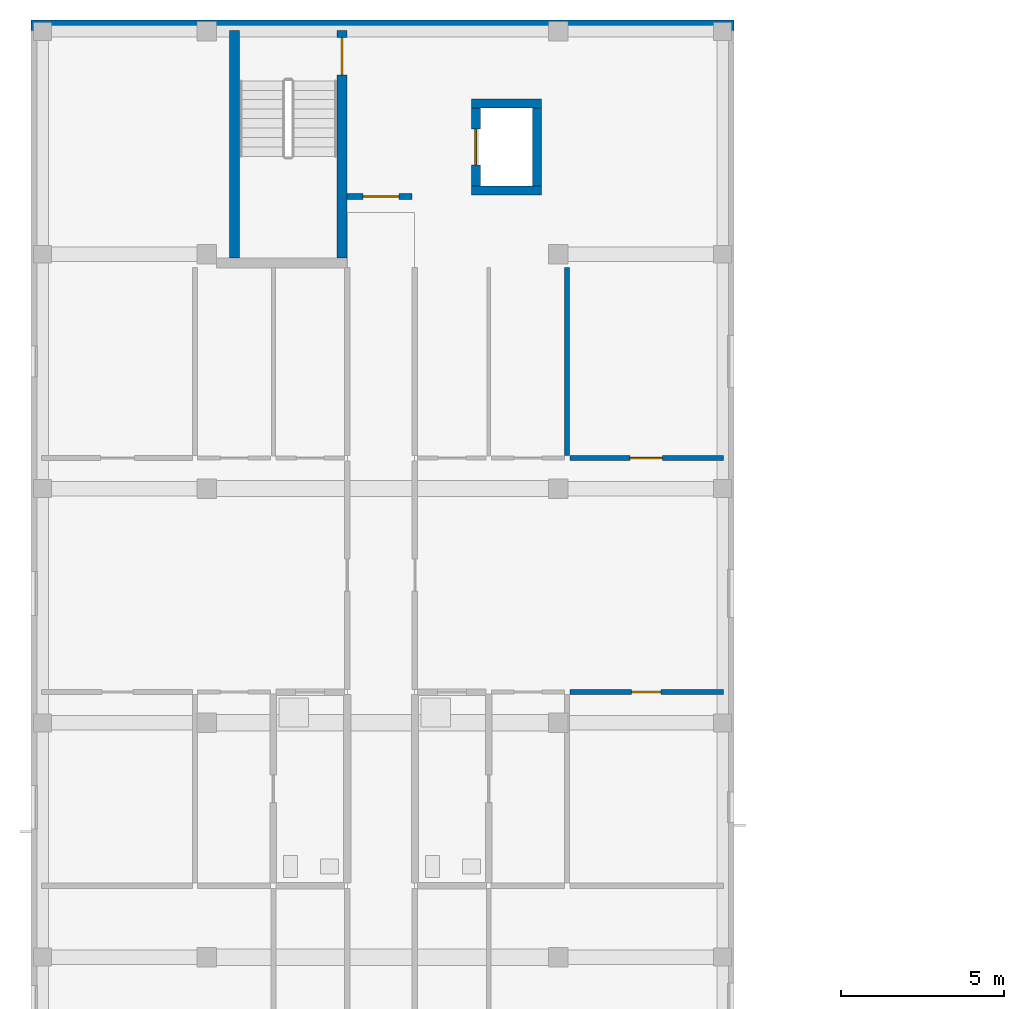
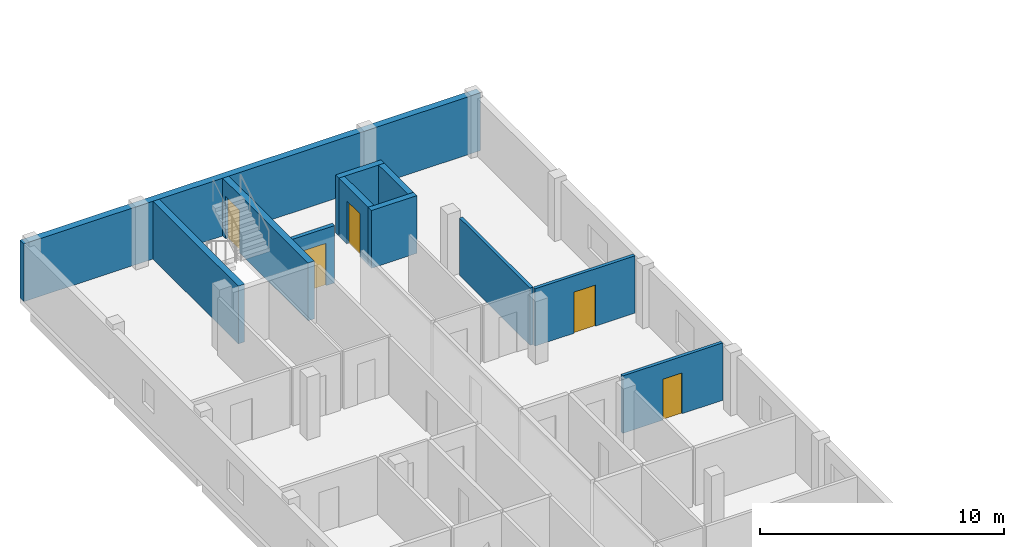
# One storey, part 16 of 34: 11 walls, 5 doors, 5 openings.
"""IFC4 building model written with IfcOpenShell, lengths in metres."""

from ifc_helpers import new_model, si_unit, derived_unit, direction, frame, frame_2d, origin, place, context, subcontext, project, spatial, rectangle, extrude, material, layer, layer_set, type_object, element, fill, save


model = new_model("IFC4")

# Units and contexts
model_context = context("Model", 3, precision=1e-05, world=origin(), true_north=direction((0.0, 1.0)))
body_context = subcontext(model_context, "Body", "Model", "MODEL_VIEW")
ifc_project = project(units=[si_unit("LENGTHUNIT", "METRE"), si_unit("AREAUNIT", "SQUARE_METRE"), si_unit("VOLUMEUNIT", "CUBIC_METRE"), si_unit("PLANEANGLEUNIT", "RADIAN"), si_unit("MASSUNIT", "GRAM", prefix="KILO"), derived_unit("THERMALTRANSMITTANCEUNIT", [(si_unit("MASSUNIT", "GRAM", prefix="KILO"), 1), (si_unit("TIMEUNIT", "SECOND"), -3), (si_unit("THERMODYNAMICTEMPERATUREUNIT", "KELVIN"), -1)])], contexts=[model_context])

# Site, building, storey
site_placement = place(None, origin())
site = spatial("IfcSite", under=ifc_project, at=site_placement, CompositionType="ELEMENT")
building_placement = place(site_placement, origin())
building = spatial("IfcBuilding", under=site, at=building_placement, Name="Ochrekiln Boulevard Commons", CompositionType="ELEMENT")
storey_placement = place(building_placement, frame((0.0, 0.0, 27.824951171875)))
storey = spatial("IfcBuildingStorey", under=building, at=storey_placement, Name="L08", CompositionType="ELEMENT", Elevation=27.824951171875)

# Wall
ifc_material_1 = material(Name="Desert ochre clinker brick masonry ASTM C216 Grade SW", Category="masonry")
ifc_layer_1 = layer(ifc_material_1, 0.320068359375)
ifc_layer_set_1 = layer_set([ifc_layer_1], Name="Desert ochre clinker brick masonry ASTM C216 Grade SW")
wall_type_1 = type_object("IfcWallType", Name="WL-EXT-OCHRE-320", PredefinedType="SOLIDWALL", material=ifc_layer_set_1)
wall_1_placement = place(storey_placement, frame((0.0, 118.639892578125, 0.0), z_axis=(0.0, 0.0, 1.0), x_axis=(1.0, 0.0, 0.0)))
element("IfcWall", 1, at=wall_1_placement, inside=storey, type_object=wall_type_1, Name="Block A L08 N Exterior Wall", PredefinedType="SOLIDWALL", context=body_context, shape_type="SweptSolid", body=[
    extrude(rectangle(XDim=21.60009765625, YDim=0.320068359375, at=frame_2d((10.800048828125, 0.0))), origin(), (0.0, 0.0, 1.0), 2.89013671875),
])

# Wall, opening, door
ifc_material_2 = material(Name="Fire-rated Type X gypsum board on steel studs", Category="steel")
ifc_layer_2 = layer(ifc_material_2, 0.18994140625)
ifc_layer_set_2 = layer_set([ifc_layer_2], Name="Fire-rated Type X gypsum board on steel studs")
wall_type_2 = type_object("IfcWallType", Name="WL-PT-LBY-190", PredefinedType="PARTITIONING", material=ifc_layer_set_2)
wall_2_placement = place(storey_placement, frame((9.699951171875, 113.3798828125, 0.0), z_axis=(0.0, 0.0, 1.0), x_axis=(1.0, 0.0, 0.0)))
wall_2 = element("IfcWall", 2, at=wall_2_placement, inside=storey, type_object=wall_type_2, Name="L08 Interior Wall W-PL190", PredefinedType="PARTITIONING", context=body_context, shape_type="SweptSolid", body=[
    extrude(rectangle(XDim=2.0, YDim=0.18994140625, at=frame_2d((1.0, 0.0))), origin(), (0.0, 0.0, 1.0), 2.8701171875),
])
opening_1_placement = place(wall_2_placement, frame((0.5, 0.0, 0.0)))
opening_1 = element("IfcOpeningElement", 3, at=opening_1_placement, cuts=wall_2, Name="Opening D-L08-1003", PredefinedType="OPENING", context=body_context, shape_type="SweptSolid", body=[
    extrude(rectangle(XDim=1.10009765625, YDim=2.1201171875, at=frame_2d((0.550048828125, 1.06005859375))), frame((0.0, 0.10498046875, 0.0), z_axis=(0.0, -1.0, 0.0), x_axis=(1.0, 0.0, 0.0)), (0.0, 0.0, 1.0), 0.2099609375),
])
ifc_material_3 = material(Name="Hollow metal fire-rated steel door assembly", Category="steel")
door_type_1 = type_object("IfcDoorType", Name="DR-LOBBY-60", OperationType="NOTDEFINED", PredefinedType="DOOR", material=ifc_material_3)
door_1_placement = place(opening_1_placement, origin())
door_1 = element("IfcDoor", 4, at=door_1_placement, inside=storey, type_object=door_type_1, Name="L08 Interior Door to Fire Service Access Elevator Lobby", OperationType="SINGLE_SWING_LEFT", OverallHeight=2.1201171875, OverallWidth=1.10009765625, PredefinedType="DOOR", context=body_context, shape_type="SweptSolid", body=[
    extrude(rectangle(XDim=1.10009765625, YDim=2.1201171875, at=frame_2d((0.550048828125, 1.06005859375))), frame((0.0, 0.02490234375, 0.0), z_axis=(0.0, -1.0, 0.0), x_axis=(1.0, 0.0, 0.0)), (0.0, 0.0, 1.0), 0.050048828125),
])
fill(opening_1, door_1)

ifc_layer_3 = layer(ifc_material_2, 0.14990234375)
ifc_layer_set_3 = layer_set([ifc_layer_3], Name="Fire-rated Type X gypsum board on steel studs")
wall_type_3 = type_object("IfcWallType", Name="WL-PT-STD-150", PredefinedType="PARTITIONING", material=ifc_layer_set_3)
wall_3_placement = place(storey_placement, frame((16.550048828125, 98.14697265625, 0.0), z_axis=(0.0, 0.0, 1.0), x_axis=(1.0, 0.0, 0.0)))
wall_3 = element("IfcWall", 5, at=wall_3_placement, inside=storey, type_object=wall_type_3, Name="L08 Interior Wall W-PS150", PredefinedType="PARTITIONING", context=body_context, shape_type="SweptSolid", body=[
    extrude(rectangle(XDim=4.72998046875, YDim=0.14990234375, at=frame_2d((2.364990234375, 0.0))), origin(), (0.0, 0.0, 1.0), 2.8701171875),
])
opening_2_placement = place(wall_3_placement, frame((1.89990234375, 0.0, 0.0)))
opening_2 = element("IfcOpeningElement", 6, at=opening_2_placement, cuts=wall_3, Name="Opening D-L08-1026", PredefinedType="OPENING", context=body_context, shape_type="SweptSolid", body=[
    extrude(rectangle(XDim=0.89990234375, YDim=2.0400390625, at=frame_2d((0.449951171875, 1.02001953125))), frame((0.0, 0.0849609375, 0.0), z_axis=(0.0, -1.0, 0.0), x_axis=(1.0, 0.0, 0.0)), (0.0, 0.0, 1.0), 0.169921875),
])
ifc_material_4 = material(Name="Solid core architectural oak door leaf")
door_type_2 = type_object("IfcDoorType", Name="DR-INT-BED-090", OperationType="NOTDEFINED", PredefinedType="DOOR", material=ifc_material_4)
door_2_placement = place(opening_2_placement, frame((0.89990234375, 0.0, 0.0), z_axis=(0.0, 0.0, 1.0), x_axis=(-1.0, 0.0, 0.0)))
door_2 = element("IfcDoor", 7, at=door_2_placement, inside=storey, type_object=door_type_2, Name="L08 Interior Door to Primary Apartment Bedroom", OperationType="SINGLE_SWING_RIGHT", OverallHeight=2.0400390625, OverallWidth=0.89990234375, PredefinedType="DOOR", context=body_context, shape_type="SweptSolid", body=[
    extrude(rectangle(XDim=0.89990234375, YDim=2.0400390625, at=frame_2d((0.449951171875, 1.02001953125))), frame((0.0, 0.02490234375, 0.0), z_axis=(0.0, -1.0, 0.0), x_axis=(1.0, 0.0, 0.0)), (0.0, 0.0, 1.0), 0.050048828125),
])
fill(opening_2, door_2)

wall_4_placement = place(storey_placement, frame((16.550048828125, 105.3349609375, 0.0), z_axis=(0.0, 0.0, 1.0), x_axis=(1.0, 0.0, 0.0)))
wall_4 = element("IfcWall", 8, at=wall_4_placement, inside=storey, type_object=wall_type_3, Name="L08 Interior Wall W-PS150", PredefinedType="PARTITIONING", context=body_context, shape_type="SweptSolid", body=[
    extrude(rectangle(XDim=4.72998046875, YDim=0.14990234375, at=frame_2d((2.364990234375, 0.0))), origin(), (0.0, 0.0, 1.0), 2.8701171875),
])
opening_3_placement = place(wall_4_placement, frame((1.85009765625, 0.0, 0.0)))
opening_3 = element("IfcOpeningElement", 9, at=opening_3_placement, cuts=wall_4, Name="Opening D-L08-1028", PredefinedType="OPENING", context=body_context, shape_type="SweptSolid", body=[
    extrude(rectangle(XDim=1.0, YDim=2.06005859375, at=frame_2d((0.5, 1.030029296875))), frame((0.0, 0.0849609375, 0.0), z_axis=(0.0, -1.0, 0.0), x_axis=(1.0, 0.0, 0.0)), (0.0, 0.0, 1.0), 0.169921875),
])
door_type_3 = type_object("IfcDoorType", Name="DR-INT-BED-100", OperationType="NOTDEFINED", PredefinedType="DOOR", material=ifc_material_4)
door_3_placement = place(opening_3_placement, origin())
door_3 = element("IfcDoor", 10, at=door_3_placement, inside=storey, type_object=door_type_3, Name="L08 Interior Door to Secondary Apartment Bedroom", OperationType="SINGLE_SWING_RIGHT", OverallHeight=2.06005859375, OverallWidth=1.0, PredefinedType="DOOR", context=body_context, shape_type="SweptSolid", body=[
    extrude(rectangle(XDim=1.0, YDim=2.06005859375, at=frame_2d((0.5, 1.030029296875))), frame((0.0, 0.02490234375, 0.0), z_axis=(0.0, -1.0, 0.0), x_axis=(1.0, 0.0, 0.0)), (0.0, 0.0, 1.0), 0.050048828125),
])
fill(opening_3, door_3)

# Walls
wall_5_placement = place(storey_placement, frame((16.469970703125, 105.409912109375, 0.0), z_axis=(0.0, 0.0, 1.0), x_axis=(0.0, 1.0, 0.0)))
element("IfcWall", 11, at=wall_5_placement, inside=storey, type_object=wall_type_3, Name="L08 Interior Wall W-PS150", PredefinedType="PARTITIONING", context=body_context, shape_type="SweptSolid", body=[
    extrude(rectangle(XDim=5.7900390625, YDim=0.14990234375, at=frame_2d((2.89501953125, 0.0))), origin(), (0.0, 0.0, 1.0), 2.8701171875),
])
ifc_material_5 = material(Name="Concrete C40/50", Category="concrete")
ifc_layer_4 = layer(ifc_material_5, 0.27490234375)
ifc_layer_set_4 = layer_set([ifc_layer_4], Name="Concrete C40/50")
wall_type_4 = type_object("IfcWallType", Name="WL-SH-275", PredefinedType="SHEAR", material=ifc_layer_set_4)
for number, where, z_axis, x_axis, name in (
    (12, (13.52490234375, 113.5625, 0.0), (0.0, 0.0, 1.0), (1.0, 0.0, 0.0), "Elevator FF-A2 L08 Hoistway Shear Wall"),
    (13, (13.52490234375, 116.237548828125, 0.0), (0.0, 0.0, 1.0), (1.0, 0.0, 0.0), "Elevator FF-A2 L08 Hoistway Shear Wall"),
):
    element("IfcWall", number, at=place(storey_placement, frame(where, z_axis=z_axis, x_axis=x_axis)), inside=storey, type_object=wall_type_4, Name=name, PredefinedType="SHEAR", context=body_context, shape_type="SweptSolid", body=[
        extrude(rectangle(XDim=2.150146484375, YDim=0.27490234375, at=frame_2d((1.0751953125, 0.0))), origin(), (0.0, 0.0, 1.0), 2.89013671875),
    ])

# Wall, opening, door
wall_6_placement = place(storey_placement, frame((13.66259765625, 113.699951171875, 0.0), z_axis=(0.0, 0.0, 1.0), x_axis=(0.0, 1.0, 0.0)))
wall_6 = element("IfcWall", 14, at=wall_6_placement, inside=storey, type_object=wall_type_4, Name="Elevator FF-A2 L08 Hoistway Shear Wall", PredefinedType="SHEAR", context=body_context, shape_type="SweptSolid", body=[
    extrude(rectangle(XDim=2.400146484375, YDim=0.27490234375, at=frame_2d((1.2001953125, 0.0))), origin(), (0.0, 0.0, 1.0), 2.89013671875),
])
opening_4_placement = place(wall_6_placement, frame((0.64990234375, 0.0, 0.0)))
opening_4 = element("IfcOpeningElement", 15, at=opening_4_placement, cuts=wall_6, Name="Opening LD-FF-A2-L08", PredefinedType="OPENING", context=body_context, shape_type="SweptSolid", body=[
    extrude(rectangle(XDim=1.10009765625, YDim=2.14990234375, at=frame_2d((0.550048828125, 1.074951171875))), frame((0.0, 0.1474609375, 0.0), z_axis=(0.0, -1.0, 0.0), x_axis=(1.0, 0.0, 0.0)), (0.0, 0.0, 1.0), 0.294921875),
])
ifc_material_6 = material(Name="Brushed stainless steel 316 elevator cab and doors", Category="steel")
door_type_4 = type_object("IfcDoorType", Name="DR-LIFT-LD90", OperationType="SLIDING_TO_LEFT", PredefinedType="DOOR", material=ifc_material_6)
door_4_placement = place(opening_4_placement, origin())
door_4 = element("IfcDoor", 16, at=door_4_placement, inside=storey, type_object=door_type_4, Name="Elevator FF-A2 L08 Sliding Landing Door LD-FF-A2-L08", OperationType="SLIDING_TO_LEFT", OverallHeight=2.14990234375, OverallWidth=1.10009765625, PredefinedType="DOOR", context=body_context, shape_type="SweptSolid", body=[
    extrude(rectangle(XDim=1.10009765625, YDim=2.14990234375, at=frame_2d((0.550048828125, 1.074951171875))), frame((0.0, 0.02490234375, 0.0), z_axis=(0.0, -1.0, 0.0), x_axis=(1.0, 0.0, 0.0)), (0.0, 0.0, 1.0), 0.050048828125),
])
fill(opening_4, door_4)

# Walls
wall_7_placement = place(storey_placement, frame((15.53759765625, 113.699951171875, 0.0), z_axis=(0.0, 0.0, 1.0), x_axis=(0.0, 1.0, 0.0)))
element("IfcWall", 17, at=wall_7_placement, inside=storey, type_object=wall_type_4, Name="Elevator FF-A2 L08 Hoistway Shear Wall", PredefinedType="SHEAR", context=body_context, shape_type="SweptSolid", body=[
    extrude(rectangle(XDim=2.400146484375, YDim=0.27490234375, at=frame_2d((1.2001953125, 0.0))), origin(), (0.0, 0.0, 1.0), 2.89013671875),
])
ifc_layer_5 = layer(ifc_material_5, 0.300048828125)
ifc_layer_set_5 = layer_set([ifc_layer_5], Name="Concrete C40/50")
wall_type_5 = type_object("IfcWallType", Name="WL-SH-300", PredefinedType="SHEAR", material=ifc_layer_set_5)
wall_8_placement = place(storey_placement, frame((6.25, 111.47998046875, 0.0), z_axis=(0.0, 0.0, 1.0), x_axis=(0.0, 1.0, 0.0)))
element("IfcWall", 18, at=wall_8_placement, inside=storey, type_object=wall_type_5, Name="Stair ST-A2 L08 Core Shear Wall W", PredefinedType="SHEAR", context=body_context, shape_type="SweptSolid", body=[
    extrude(rectangle(XDim=7.0, YDim=0.300048828125, at=frame_2d((3.5, 0.0))), origin(), (0.0, 0.0, 1.0), 2.89013671875),
])

# Wall, opening, door
wall_9_placement = place(storey_placement, frame((9.550048828125, 111.47998046875, 0.0), z_axis=(0.0, 0.0, 1.0), x_axis=(0.0, 1.0, 0.0)))
wall_9 = element("IfcWall", 19, at=wall_9_placement, inside=storey, type_object=wall_type_5, Name="Stair ST-A2 L08 Core Shear Wall E", PredefinedType="SHEAR", context=body_context, shape_type="SweptSolid", body=[
    extrude(rectangle(XDim=7.0, YDim=0.300048828125, at=frame_2d((3.5, 0.0))), origin(), (0.0, 0.0, 1.0), 2.89013671875),
])
opening_5_placement = place(wall_9_placement, frame((5.625, 0.0, 0.0)))
opening_5 = element("IfcOpeningElement", 20, at=opening_5_placement, cuts=wall_9, Name="Opening D-L08-ST-A2", PredefinedType="OPENING", context=body_context, shape_type="SweptSolid", body=[
    extrude(rectangle(XDim=1.14990234375, YDim=2.1201171875, at=frame_2d((0.574951171875, 1.06005859375))), frame((0.0, 0.159912109375, 0.0), z_axis=(0.0, -1.0, 0.0), x_axis=(1.0, 0.0, 0.0)), (0.0, 0.0, 1.0), 0.320068359375),
])
door_type_5 = type_object("IfcDoorType", Name="DR-STAIR-90", OperationType="NOTDEFINED", PredefinedType="DOOR", material=ifc_material_3)
door_5_placement = place(opening_5_placement, origin())
door_5 = element("IfcDoor", 21, at=door_5_placement, inside=storey, type_object=door_type_5, Name="Enclosed Exit Stair ST-A2 L08 Rated Door", OperationType="SINGLE_SWING_RIGHT", OverallHeight=2.1201171875, OverallWidth=1.14990234375, PredefinedType="DOOR", context=body_context, shape_type="SweptSolid", body=[
    extrude(rectangle(XDim=1.14990234375, YDim=2.1201171875, at=frame_2d((0.574951171875, 1.06005859375))), frame((0.0, 0.02490234375, 0.0), z_axis=(0.0, -1.0, 0.0), x_axis=(1.0, 0.0, 0.0)), (0.0, 0.0, 1.0), 0.050048828125),
])
fill(opening_5, door_5)

save(model, "model.ifc")
